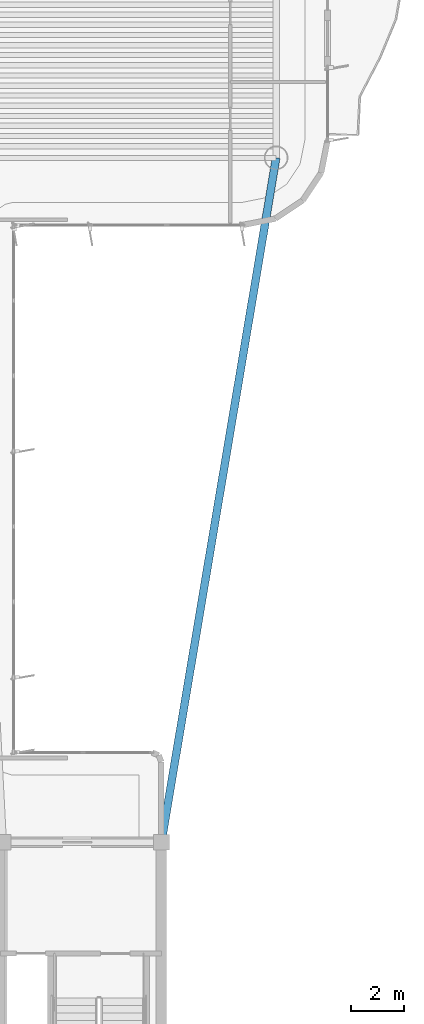
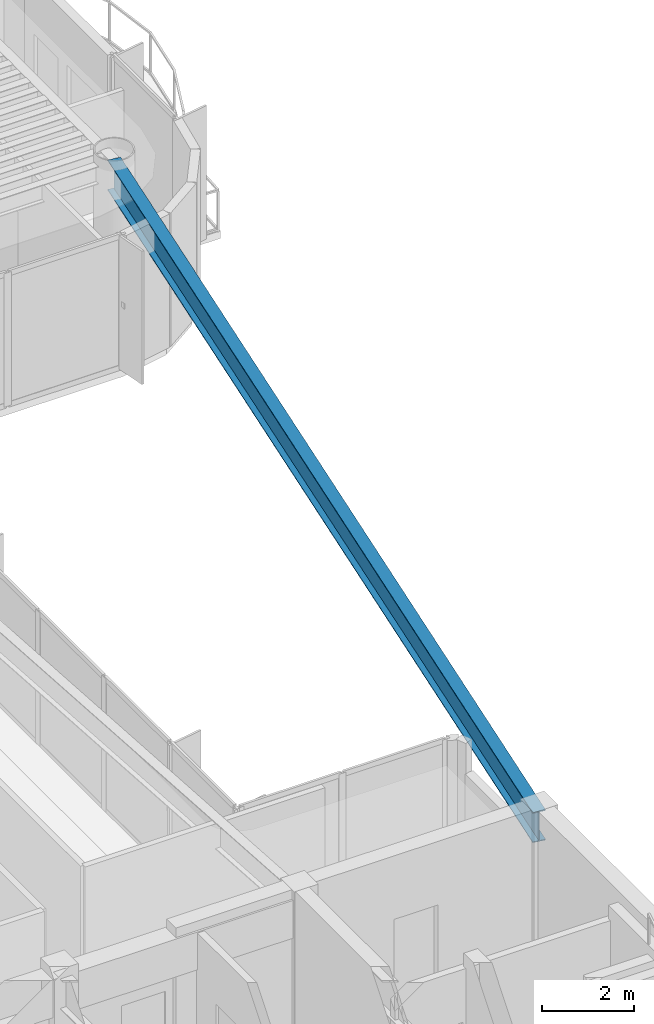
# One storey, part 4 of 15: 1 beam.
"""IFC4 building model written with IfcOpenShell, lengths in metres."""

from ifc_helpers import new_model, si_unit, direction, frame, origin, origin_2d, place, context, subcontext, project, spatial, i_section, extrude, source, transform, mapped, material, material_profile, profile_set, type_object, element, save


model = new_model("IFC4")

# Units and contexts
model_context = context("Model", 3, precision=1e-05, world=origin(), true_north=direction((0.0, 1.0)))
body_context = subcontext(model_context, "Body", "Model", "MODEL_VIEW")
ifc_project = project(units=[si_unit("LENGTHUNIT", "METRE"), si_unit("AREAUNIT", "SQUARE_METRE"), si_unit("VOLUMEUNIT", "CUBIC_METRE"), si_unit("PLANEANGLEUNIT", "RADIAN"), si_unit("MASSUNIT", "GRAM", prefix="KILO")], contexts=[model_context])

# Site, building, storey
site_placement = place(None, origin())
site = spatial("IfcSite", under=ifc_project, at=site_placement, CompositionType="ELEMENT")
building_placement = place(site_placement, origin())
building = spatial("IfcBuilding", under=site, at=building_placement, Name="Brelvock Crest Care Tower", CompositionType="ELEMENT")
storey_placement = place(building_placement, frame((0.0, 0.0, 272.159912109375)))
storey = spatial("IfcBuildingStorey", under=building, at=storey_placement, Name="L69", CompositionType="ELEMENT", Elevation=272.159912109375)

# Beam
ifc_material = material(Name="Steel Grade 350", Category="steel")
ifc_material_profile = material_profile(ifc_material, i_section(OverallWidth=0.300048828125, OverallDepth=0.800048828125, WebThickness=0.013916015625, FlangeThickness=0.02197265625, at=origin_2d()), Name="800WB192")
ifc_profile_set = profile_set([ifc_material_profile], Name="Steel Grade 350")
beam_type = type_object("IfcBeamType", Name="BM-G5", PredefinedType="BEAM", material=ifc_profile_set)
shared_shape = source(origin(), body_context, "Body", "SweptSolid", [
    extrude(i_section(OverallWidth=0.300048828125, OverallDepth=0.800048828125, WebThickness=0.013916015625, FlangeThickness=0.02197265625, at=origin_2d()), origin(), (0.0, 0.0, 1.0), 26.31201171875),
])
beam_placement = place(storey_placement, frame((48.0, 18.0, 3.130126953125), z_axis=(0.165327282709, 0.986238758918, 0.0), x_axis=(-0.986238758918, 0.165327282709, 0.0)))
element("IfcBeam", 1, at=beam_placement, inside=storey, type_object=beam_type, Name="BM-THRO-E-L69", PredefinedType="BEAM", context=body_context, shape_type="MappedRepresentation", body=[
    mapped(shared_shape, transform((0.0, 0.0, 0.0), x_axis=(1.0, 0.0, 0.0), y_axis=(0.0, 1.0, 0.0), z_axis=(0.0, 0.0, 1.0), scale=1.0)),
])

save(model, "model.ifc")
